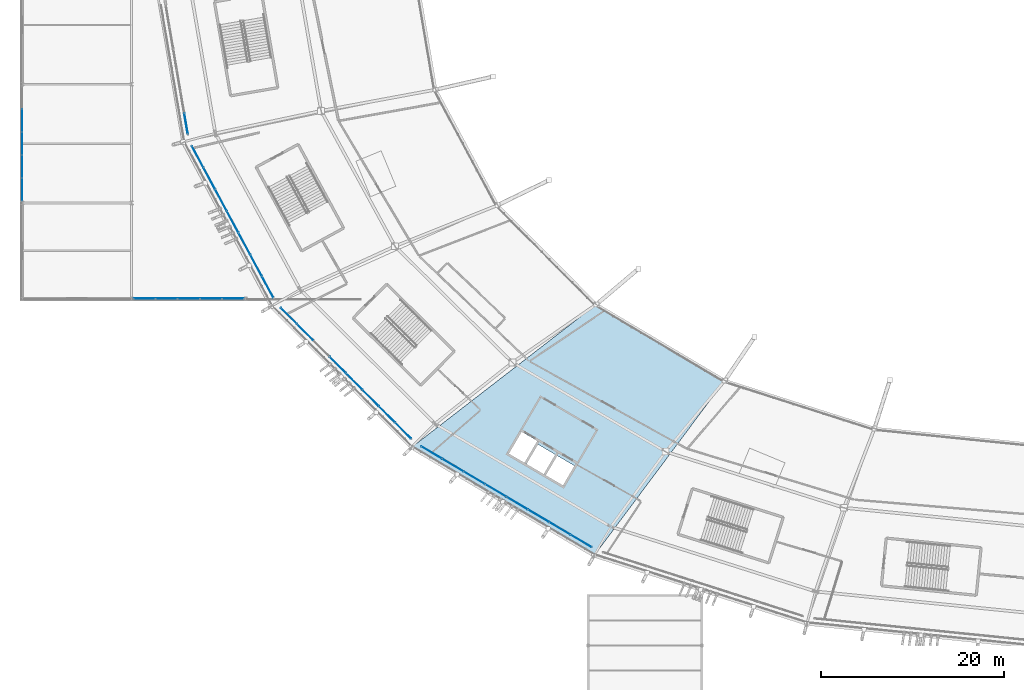
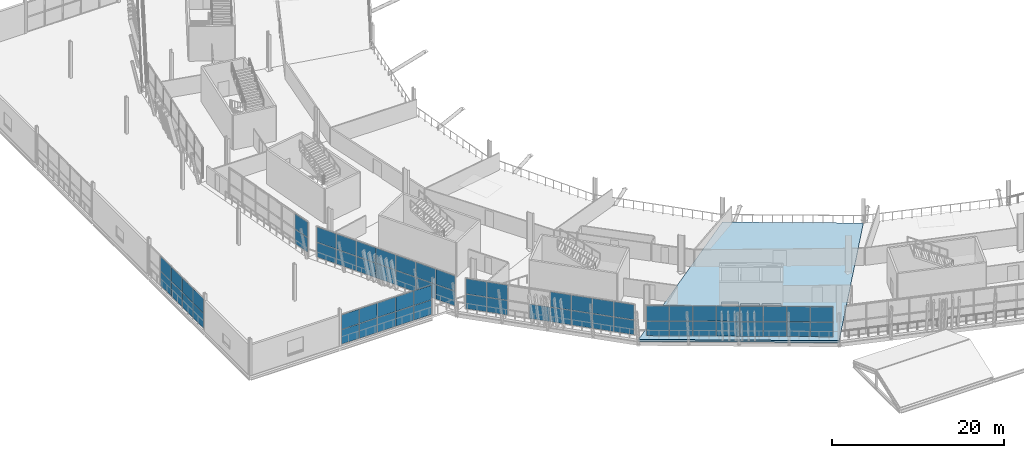
# One storey, part 82 of 168: 63 plates, 1 slab, 6 elements without a shape of their own.
"""IFC4 building model written with IfcOpenShell, lengths in metres."""

import ifcopenshell
import ifcopenshell.guid

model = None  # the IFC model being written
_history = None  # IfcOwnerHistory: only IFC2X3 demands one
_inside = {}  # id of a spatial element -> (the spatial element, [elements in it])
_under = {}  # id of a project, library or spatial element -> (it, [spatial elements below it])
_declared = {}  # id of a project -> (the project, [libraries it declares])
_typed = {}  # id of a type object -> (the type object, [elements of that type])
_made_of = {}  # id of a material, layer set ... -> (it, [elements and type objects made of it])


def new_model(schema):
    """Start an empty IFC model of exactly this schema.

    Asked for "IFC4X3", IfcOpenShell would pick the latest addendum, in which some entities
    have other attributes; the version numbers below select the first issue.
    IFC2X3 requires an IfcOwnerHistory on every rooted entity: one is made here for all.
    """
    global model, _history
    if schema == "IFC4X3":
        model = ifcopenshell.file(schema_version=(4, 3, 0, 0))
    else:
        model = ifcopenshell.file(schema=schema)
    _inside.clear()
    _under.clear()
    _declared.clear()
    _typed.clear()
    _made_of.clear()
    _history = None
    if model.schema == "IFC2X3":
        org = make("IfcOrganization", Name="unknown")
        user = make(
            "IfcPersonAndOrganization",
            ThePerson=make("IfcPerson", FamilyName="unknown"),
            TheOrganization=org,
        )
        app = make(
            "IfcApplication",
            ApplicationDeveloper=org,
            Version="unknown",
            ApplicationFullName="unknown",
            ApplicationIdentifier="unknown",
        )
        _history = make(
            "IfcOwnerHistory",
            OwningUser=user,
            OwningApplication=app,
            ChangeAction="ADDED",
            CreationDate=0,
        )
    return model


def make(cls, **values):
    """One entity of the class cls with the attributes given. An attribute that is None is left unset."""
    return model.create_entity(
        cls, **{name: value for name, value in values.items() if value is not None}
    )


def rooted(cls, **values):
    """An entity with a GlobalId (a new one), such as an element, a storey or a relation."""
    return make(cls, GlobalId=ifcopenshell.guid.new(), OwnerHistory=_history, **values)


def si_unit(unit_type, name, prefix=None):
    """IfcSIUnit, for example si_unit("LENGTHUNIT", "METRE", prefix="MILLI")."""
    return make("IfcSIUnit", UnitType=unit_type, Prefix=prefix, Name=name)


def assignment(units):
    """IfcUnitAssignment: the units of a project."""
    return None if units is None else make("IfcUnitAssignment", Units=units)


def point(xyz):
    """IfcCartesianPoint."""
    return None if xyz is None else make("IfcCartesianPoint", Coordinates=xyz)


def direction(xyz):
    """IfcDirection."""
    return None if xyz is None else make("IfcDirection", DirectionRatios=xyz)


def frame(location, z_axis=None, x_axis=None):
    """IfcAxis2Placement3D, a coordinate frame: its origin and axes. An axis left out is left unset."""
    return make(
        "IfcAxis2Placement3D",
        Location=point(location),
        Axis=direction(z_axis),
        RefDirection=direction(x_axis),
    )


def frame_2d(location, x_axis=None):
    """IfcAxis2Placement2D, a coordinate frame in the plane: its origin and x axis."""
    return make(
        "IfcAxis2Placement2D", Location=point(location), RefDirection=direction(x_axis)
    )


def origin():
    """The frame at (0, 0, 0) with its axes left unset."""
    return frame((0.0, 0.0, 0.0))


def origin_2d():
    """The frame at (0, 0) in the plane with its x axis left unset."""
    return frame_2d((0.0, 0.0))


def place(relative_to, where):
    """IfcLocalPlacement: puts the frame where relative to a parent placement (None: the world)."""
    return make(
        "IfcLocalPlacement", PlacementRelTo=relative_to, RelativePlacement=where
    )


def context(
    kind, dimensions, precision=None, world=None, true_north=None, identifier=None
):
    """IfcGeometricRepresentationContext, for example the 3D "Model" context."""
    return make(
        "IfcGeometricRepresentationContext",
        ContextIdentifier=identifier,
        ContextType=kind,
        CoordinateSpaceDimension=dimensions,
        Precision=precision,
        WorldCoordinateSystem=world,
        TrueNorth=true_north,
    )


def subcontext(parent, identifier, kind, view, scale=None):
    """IfcGeometricRepresentationSubContext, for example "Body" below "Model"."""
    return make(
        "IfcGeometricRepresentationSubContext",
        ContextIdentifier=identifier,
        ContextType=kind,
        ParentContext=parent,
        TargetScale=scale,
        TargetView=view,
    )


def project(units=None, contexts=None):
    """IfcProject with its units and contexts."""
    return rooted(
        "IfcProject",
        Name="project",
        RepresentationContexts=contexts,
        UnitsInContext=assignment(units),
    )


def spatial(cls, under=None, at=None, **own):
    """A site, building, storey or space (cls), placed at a placement, below another one or the project."""
    s = rooted(cls, ObjectPlacement=at, **own)
    if under is not None:
        _under.setdefault(under.id(), (under, []))[1].append(s)
    return s


def polyline(points):
    """IfcPolyline through the points."""
    return make("IfcPolyline", Points=[point(p) for p in points])


def profile(cls, at=None, kind="AREA", **sizes):
    """A parametric profile (cls). Its sizes go by their IFC names, for example OverallWidth=200.0."""
    return make(cls, ProfileType=kind, Position=at, **sizes)


def rectangle(**sizes):
    """IfcRectangleProfileDef."""
    return profile("IfcRectangleProfileDef", **sizes)


def outline(outer, holes=None, kind="AREA"):
    """IfcArbitraryClosedProfileDef: a profile drawn as a closed curve; with holes, ...WithVoids."""
    if holes is None:
        return make("IfcArbitraryClosedProfileDef", ProfileType=kind, OuterCurve=outer)
    return make(
        "IfcArbitraryProfileDefWithVoids",
        ProfileType=kind,
        OuterCurve=outer,
        InnerCurves=holes,
    )


def extrude(swept, where, along, depth):
    """IfcExtrudedAreaSolid: the profile swept, set in the frame where, extruded along a direction by depth."""
    return make(
        "IfcExtrudedAreaSolid",
        SweptArea=swept,
        Position=where,
        ExtrudedDirection=direction(along),
        Depth=depth,
    )


def shape(context_of_items, identifier, shape_type, items):
    """IfcShapeRepresentation: the items that make up one representation, for example the "Body"."""
    return make(
        "IfcShapeRepresentation",
        ContextOfItems=context_of_items,
        RepresentationIdentifier=identifier,
        RepresentationType=shape_type,
        Items=items,
    )


def material(Name=None, Category=None):
    """IfcMaterial."""
    return make("IfcMaterial", Name=Name, Category=Category)


def layer(
    of_material, thickness, ventilated=None, Name=None, Category=None, Priority=None
):
    """IfcMaterialLayer: one layer of a wall or slab, of a material (None: an air gap)."""
    return make(
        "IfcMaterialLayer",
        Material=of_material,
        LayerThickness=thickness,
        IsVentilated=ventilated,
        Name=Name,
        Category=Category,
        Priority=Priority,
    )


def layer_set(layers, Name=None):
    """IfcMaterialLayerSet."""
    return make("IfcMaterialLayerSet", MaterialLayers=layers, LayerSetName=Name)


def made_of(thing, what):
    """Note that an element or type object is made of a material, layer set ...; save() writes the relation."""
    if what is not None:
        _made_of.setdefault(what.id(), (what, []))[1].append(thing)
    return thing


def type_object(cls, material=None, **own):
    """A type object (cls), such as IfcWallType, which elements share."""
    return made_of(rooted(cls, **own), material)


def element(
    cls,
    number,
    at=None,
    inside=None,
    cuts=None,
    type_object=None,
    material=None,
    context=None,
    identifier="Body",
    shape_type=None,
    held_by="IfcProductDefinitionShape",
    body=None,
    shapes=None,
    **own,
):
    """One element of the class cls, such as IfcWall. Its Tag is "e" and its number.

    at: its placement. inside: the storey or other place that contains it. cuts: it is an
    opening in that element (IfcRelVoidsElement). A single representation is given by context,
    identifier, shape_type and body (its items); several are given by shapes. held_by: the class
    of the entity that holds the representations. save() writes the other relations.
    """
    e = rooted(cls, Tag="e%d" % number, ObjectPlacement=at, **own)
    if body is not None:
        shapes = [shape(context, identifier, shape_type, body)]
    if shapes is not None:
        e.Representation = make(held_by, Representations=shapes)
    if inside is not None:
        _inside.setdefault(inside.id(), (inside, []))[1].append(e)
    if cuts is not None:
        rooted(
            "IfcRelVoidsElement", RelatingBuildingElement=cuts, RelatedOpeningElement=e
        )
    if type_object is not None:
        _typed.setdefault(type_object.id(), (type_object, []))[1].append(e)
    return made_of(e, material)


def aggregate(whole, parts):
    """IfcRelAggregates: a whole, such as a stair, and the parts it consists of."""
    return rooted("IfcRelAggregates", RelatingObject=whole, RelatedObjects=parts)


def save(model, path):
    """Write the relations noted so far, then the file.

    IfcRelAggregates (storeys below a building ...), IfcRelContainedInSpatialStructure (elements
    in a storey), IfcRelDefinesByType, IfcRelAssociatesMaterial and IfcRelDeclares: one each for
    every whole, place, type object, material and project.
    """
    for whole, parts in _under.values():
        aggregate(whole, parts)
    for where, things in _inside.values():
        rooted(
            "IfcRelContainedInSpatialStructure",
            RelatedElements=things,
            RelatingStructure=where,
        )
    for kind, things in _typed.values():
        rooted("IfcRelDefinesByType", RelatedObjects=things, RelatingType=kind)
    for what, things in _made_of.values():
        rooted("IfcRelAssociatesMaterial", RelatedObjects=things, RelatingMaterial=what)
    for by, libraries in _declared.values():
        rooted("IfcRelDeclares", RelatingContext=by, RelatedDefinitions=libraries)
    model.write(path)


model = new_model("IFC4")

# Units and contexts
model_context = context("Model", 3, precision=1e-05, world=origin(), true_north=direction((0.0, 1.0)))
body_context = subcontext(model_context, "Body", "Model", "MODEL_VIEW")
ifc_project = project(units=[si_unit("LENGTHUNIT", "METRE"), si_unit("AREAUNIT", "SQUARE_METRE"), si_unit("VOLUMEUNIT", "CUBIC_METRE"), si_unit("PLANEANGLEUNIT", "RADIAN"), si_unit("MASSUNIT", "GRAM", prefix="KILO")], contexts=[model_context])

# Site, building, storey
site_placement = place(None, origin())
site = spatial("IfcSite", under=ifc_project, at=site_placement, CompositionType="ELEMENT")
building_placement = place(site_placement, origin())
building = spatial("IfcBuilding", under=site, at=building_placement, Name="Zlatoyarsky Gate Stadium", CompositionType="ELEMENT")
storey_placement = place(building_placement, frame((0.0, 0.0, 15.60009765625)))
storey = spatial("IfcBuildingStorey", under=building, at=storey_placement, Name="L03", CompositionType="ELEMENT", Elevation=15.60009765625)

# Curtain wall, plates
ifc_material_1 = material(Name="Thermally broken anodised aluminium curtain wall", Category="aluminium")
curtain_wall_type_1 = type_object("IfcCurtainWallType", Name="MONUMENTAL ARCHED GATE GLAZING UPPER", PredefinedType="USERDEFINED", material=ifc_material_1)
curtain_wall_1_placement = place(storey_placement, origin())
curtain_wall_1 = element("IfcCurtainWall", 1, at=curtain_wall_1_placement, inside=storey, type_object=curtain_wall_type_1, Name="Curtain wall CW-L03-12", ObjectType="ARCHED GATE GLAZING", PredefinedType="USERDEFINED")
ifc_material_2 = material(Name="Triple-glazed argon low-e architectural glass", Category="glass")
ifc_layer_1 = layer(ifc_material_2, 0.0458984375)
ifc_layer_set_1 = layer_set([ifc_layer_1], Name="Triple-glazed argon low-e architectural glass")
plate_type_1 = type_object("IfcPlateType", Name="ACOUSTIC LAMINATED GATE GLAZING PANEL 46", PredefinedType="CURTAIN_PANEL", material=ifc_layer_set_1)
plate_1_placement = place(storey_placement, frame((17.955322265625, 62.68310546875, 0.074951171875), z_axis=(0.0, 0.0, 1.0), x_axis=(0.168353683036, -0.985726654508, 0.0)))
plate_1 = element("IfcPlate", 2, at=plate_1_placement, type_object=plate_type_1, Name="CW-AG2 panel 6.1", PredefinedType="CURTAIN_PANEL", context=body_context, shape_type="SweptSolid", body=[
    extrude(rectangle(XDim=2.27587890625, YDim=0.0458984375, at=origin_2d()), origin(), (0.0, 0.0, 1.0), 2.03759765625),
])
plate_2_placement = place(storey_placement, frame((17.955322265625, 62.68310546875, 2.1875), z_axis=(0.0, 0.0, 1.0), x_axis=(0.168353683036, -0.985726654508, 0.0)))
plate_2 = element("IfcPlate", 3, at=plate_2_placement, type_object=plate_type_1, Name="CW-AG2 panel 6.2", PredefinedType="CURTAIN_PANEL", context=body_context, shape_type="SweptSolid", body=[
    extrude(rectangle(XDim=2.27587890625, YDim=0.0458984375, at=origin_2d()), origin(), (0.0, 0.0, 1.0), 2.117431640625),
])
aggregate(curtain_wall_1, [plate_1, plate_2])

# Slab
ifc_material_3 = material(Name="Concrete C40/50", Category="concrete")
ifc_layer_2 = layer(ifc_material_3, 0.280029296875)
ifc_layer_set_2 = layer_set([ifc_layer_2], Name="Concrete C40/50")
slab_type = type_object("IfcSlabType", Name="CONCRETE HOSPITALITY SLAB 280", PredefinedType="FLOOR", material=ifc_layer_set_2)
slab_placement = place(storey_placement, frame((0.0, 0.0, -0.280029296875)))
element("IfcSlab", 4, at=slab_placement, inside=storey, type_object=slab_type, Name="L03 bowl sector 15 slab", PredefinedType="FLOOR", context=body_context, shape_type="SweptSolid", body=[
    extrude(outline(polyline([(77.0, 34.53369140625), (62.64892578125, 15.305908203125), (42.62109375, 27.177490234375), (62.916748046875, 42.876953125), (77.0, 34.53369140625)]), holes=[polyline([(57.36669921875, 24.13818359375), (59.264892578125, 23.0263671875), (60.528564453125, 25.183349609375), (58.63037109375, 26.29541015625), (57.36669921875, 24.13818359375)]), polyline([(55.252685546875, 25.376708984375), (57.15087890625, 24.2646484375), (58.41455078125, 26.421875), (56.516357421875, 27.53369140625), (55.252685546875, 25.376708984375)]), polyline([(53.311279296875, 26.513916015625), (55.037109375, 25.5029296875), (56.452392578125, 27.9189453125), (54.7265625, 28.929931640625), (53.311279296875, 26.513916015625)])]), origin(), (0.0, 0.0, 1.0), 0.280029296875),
])

# Curtain wall, plates
curtain_wall_type_2 = type_object("IfcCurtainWallType", Name="WINTER GARDEN CONSERVATORY GLAZING", PredefinedType="USERDEFINED", material=ifc_material_1)
curtain_wall_2_placement = place(storey_placement, origin())
curtain_wall_2 = element("IfcCurtainWall", 5, at=curtain_wall_2_placement, inside=storey, type_object=curtain_wall_type_2, Name="Curtain wall CW-V4_WEST-L03-176", ObjectType="UNITISED GLAZING", PredefinedType="USERDEFINED")
ifc_material_4 = material(Name="Anodised aluminium spandrel panel", Category="aluminium")
ifc_layer_3 = layer(ifc_material_4, 0.05810546875)
ifc_layer_set_3 = layer_set([ifc_layer_3], Name="Anodised aluminium spandrel panel")
plate_type_2 = type_object("IfcPlateType", Name="INSULATED ALUMINIUM SPANDREL PANEL 58", PredefinedType="CURTAIN_PANEL", material=ifc_layer_set_3)
plate_3_placement = place(storey_placement, frame((13.395751953125, 43.5, 0.06494140625), z_axis=(0.0, 0.0, 1.0), x_axis=(1.0, 0.0, 0.0)))
plate_3 = element("IfcPlate", 6, at=plate_3_placement, type_object=plate_type_2, Name="CW-WG1 panel 1.1", PredefinedType="CURTAIN_PANEL", context=body_context, shape_type="SweptSolid", body=[
    extrude(rectangle(XDim=2.337646484375, YDim=0.05810546875, at=origin_2d()), origin(), (0.0, 0.0, 1.0), 2.052490234375),
])
plate_4_placement = place(storey_placement, frame((13.395751953125, 43.5, 2.1826171875), z_axis=(0.0, 0.0, 1.0), x_axis=(1.0, 0.0, 0.0)))
plate_4 = element("IfcPlate", 7, at=plate_4_placement, type_object=plate_type_2, Name="CW-WG1 panel 1.2", PredefinedType="CURTAIN_PANEL", context=body_context, shape_type="SweptSolid", body=[
    extrude(rectangle(XDim=2.337646484375, YDim=0.05810546875, at=origin_2d()), origin(), (0.0, 0.0, 1.0), 2.032470703125),
])
plate_5_placement = place(storey_placement, frame((15.814697265625, 43.5, 0.06494140625), z_axis=(0.0, 0.0, 1.0), x_axis=(1.0, 0.0, 0.0)))
plate_5 = element("IfcPlate", 8, at=plate_5_placement, type_object=plate_type_2, Name="CW-WG1 panel 2.1", PredefinedType="CURTAIN_PANEL", context=body_context, shape_type="SweptSolid", body=[
    extrude(rectangle(XDim=2.3701171875, YDim=0.05810546875, at=origin_2d()), origin(), (0.0, 0.0, 1.0), 2.052490234375),
])
plate_6_placement = place(storey_placement, frame((15.814697265625, 43.5, 2.1826171875), z_axis=(0.0, 0.0, 1.0), x_axis=(1.0, 0.0, 0.0)))
plate_6 = element("IfcPlate", 9, at=plate_6_placement, type_object=plate_type_2, Name="CW-WG1 panel 2.2", PredefinedType="CURTAIN_PANEL", context=body_context, shape_type="SweptSolid", body=[
    extrude(rectangle(XDim=2.3701171875, YDim=0.05810546875, at=origin_2d()), origin(), (0.0, 0.0, 1.0), 2.032470703125),
])
plate_7_placement = place(storey_placement, frame((18.25, 43.5, 0.06494140625), z_axis=(0.0, 0.0, 1.0), x_axis=(1.0, 0.0, 0.0)))
plate_7 = element("IfcPlate", 10, at=plate_7_placement, type_object=plate_type_2, Name="CW-WG1 panel 3.1", PredefinedType="CURTAIN_PANEL", context=body_context, shape_type="SweptSolid", body=[
    extrude(rectangle(XDim=2.3701171875, YDim=0.05810546875, at=origin_2d()), origin(), (0.0, 0.0, 1.0), 2.052490234375),
])
plate_8_placement = place(storey_placement, frame((18.25, 43.5, 2.1826171875), z_axis=(0.0, 0.0, 1.0), x_axis=(1.0, 0.0, 0.0)))
plate_8 = element("IfcPlate", 11, at=plate_8_placement, type_object=plate_type_2, Name="CW-WG1 panel 3.2", PredefinedType="CURTAIN_PANEL", context=body_context, shape_type="SweptSolid", body=[
    extrude(rectangle(XDim=2.3701171875, YDim=0.05810546875, at=origin_2d()), origin(), (0.0, 0.0, 1.0), 2.032470703125),
])
plate_9_placement = place(storey_placement, frame((20.685302734375, 43.5, 0.06494140625), z_axis=(0.0, 0.0, 1.0), x_axis=(1.0, 0.0, 0.0)))
plate_9 = element("IfcPlate", 12, at=plate_9_placement, type_object=plate_type_2, Name="CW-WG1 panel 4.1", PredefinedType="CURTAIN_PANEL", context=body_context, shape_type="SweptSolid", body=[
    extrude(rectangle(XDim=2.3701171875, YDim=0.05810546875, at=origin_2d()), origin(), (0.0, 0.0, 1.0), 2.052490234375),
])
plate_10_placement = place(storey_placement, frame((20.685302734375, 43.5, 2.1826171875), z_axis=(0.0, 0.0, 1.0), x_axis=(1.0, 0.0, 0.0)))
plate_10 = element("IfcPlate", 13, at=plate_10_placement, type_object=plate_type_2, Name="CW-WG1 panel 4.2", PredefinedType="CURTAIN_PANEL", context=body_context, shape_type="SweptSolid", body=[
    extrude(rectangle(XDim=2.3701171875, YDim=0.05810546875, at=origin_2d()), origin(), (0.0, 0.0, 1.0), 2.032470703125),
])
plate_11_placement = place(storey_placement, frame((23.104248046875, 43.5, 0.06494140625), z_axis=(0.0, 0.0, 1.0), x_axis=(1.0, 0.0, 0.0)))
plate_11 = element("IfcPlate", 14, at=plate_11_placement, type_object=plate_type_2, Name="CW-WG1 panel 5.1", PredefinedType="CURTAIN_PANEL", context=body_context, shape_type="SweptSolid", body=[
    extrude(rectangle(XDim=2.337646484375, YDim=0.05810546875, at=origin_2d()), origin(), (0.0, 0.0, 1.0), 2.052490234375),
])
plate_12_placement = place(storey_placement, frame((23.104248046875, 43.5, 2.1826171875), z_axis=(0.0, 0.0, 1.0), x_axis=(1.0, 0.0, 0.0)))
plate_12 = element("IfcPlate", 15, at=plate_12_placement, type_object=plate_type_2, Name="CW-WG1 panel 5.2", PredefinedType="CURTAIN_PANEL", context=body_context, shape_type="SweptSolid", body=[
    extrude(rectangle(XDim=2.337646484375, YDim=0.05810546875, at=origin_2d()), origin(), (0.0, 0.0, 1.0), 2.032470703125),
])
aggregate(curtain_wall_2, [plate_3, plate_4, plate_5, plate_6, plate_7, plate_8, plate_9, plate_10, plate_11, plate_12])

curtain_wall_type_3 = type_object("IfcCurtainWallType", Name="UNITISED CORPORATE BOX GLAZING L03", PredefinedType="USERDEFINED", material=ifc_material_1)
curtain_wall_3_placement = place(storey_placement, origin())
curtain_wall_3 = element("IfcCurtainWall", 16, at=curtain_wall_3_placement, inside=storey, type_object=curtain_wall_type_3, Name="Curtain wall CW-L03-13", ObjectType="UNITISED GLAZING", PredefinedType="USERDEFINED")
ifc_layer_4 = layer(ifc_material_2, 0.0380859375)
ifc_layer_set_4 = layer_set([ifc_layer_4], Name="Triple-glazed argon low-e architectural glass")
plate_type_3 = type_object("IfcPlateType", Name="TRIPLE GLAZED LOW E CURTAIN PANEL 38", PredefinedType="CURTAIN_PANEL", material=ifc_layer_set_4)
plate_13_placement = place(storey_placement, frame((19.2255859375, 59.06689453125, 0.06494140625), z_axis=(0.0, 0.0, 1.0), x_axis=(0.473344857694, -0.880877202392, 0.0)))
plate_13 = element("IfcPlate", 17, at=plate_13_placement, type_object=plate_type_3, Name="CW-UG3 panel 1.1", PredefinedType="CURTAIN_PANEL", context=body_context, shape_type="SweptSolid", body=[
    extrude(rectangle(XDim=2.611328125, YDim=0.0380859375, at=origin_2d()), origin(), (0.0, 0.0, 1.0), 2.052490234375),
])
plate_14_placement = place(storey_placement, frame((19.2255859375, 59.06689453125, 2.18212890625), z_axis=(0.0, 0.0, 1.0), x_axis=(0.473344857694, -0.880877202392, 0.0)))
plate_14 = element("IfcPlate", 18, at=plate_14_placement, type_object=plate_type_3, Name="CW-UG3 panel 1.2", PredefinedType="CURTAIN_PANEL", context=body_context, shape_type="SweptSolid", body=[
    extrude(rectangle(XDim=2.611328125, YDim=0.0380859375, at=origin_2d()), origin(), (0.0, 0.0, 1.0), 2.132568359375),
])
plate_15_placement = place(storey_placement, frame((20.5, 56.695068359375, 0.06494140625), z_axis=(0.0, 0.0, 1.0), x_axis=(0.473344857694, -0.880877202392, 0.0)))
plate_15 = element("IfcPlate", 19, at=plate_15_placement, type_object=plate_type_3, Name="CW-UG3 panel 2.1", PredefinedType="CURTAIN_PANEL", context=body_context, shape_type="SweptSolid", body=[
    extrude(rectangle(XDim=2.643798828125, YDim=0.0380859375, at=origin_2d()), origin(), (0.0, 0.0, 1.0), 2.052490234375),
])
plate_16_placement = place(storey_placement, frame((20.5, 56.695068359375, 2.18212890625), z_axis=(0.0, 0.0, 1.0), x_axis=(0.473344857694, -0.880877202392, 0.0)))
plate_16 = element("IfcPlate", 20, at=plate_16_placement, type_object=plate_type_3, Name="CW-UG3 panel 2.2", PredefinedType="CURTAIN_PANEL", context=body_context, shape_type="SweptSolid", body=[
    extrude(rectangle(XDim=2.643798828125, YDim=0.0380859375, at=origin_2d()), origin(), (0.0, 0.0, 1.0), 2.132568359375),
])
plate_17_placement = place(storey_placement, frame((21.7822265625, 54.308837890625, 0.06494140625), z_axis=(0.0, 0.0, 1.0), x_axis=(0.473344857694, -0.880877202392, 0.0)))
plate_17 = element("IfcPlate", 21, at=plate_17_placement, type_object=plate_type_3, Name="CW-UG3 panel 3.1", PredefinedType="CURTAIN_PANEL", context=body_context, shape_type="SweptSolid", body=[
    extrude(rectangle(XDim=2.643798828125, YDim=0.0380859375, at=origin_2d()), origin(), (0.0, 0.0, 1.0), 2.052490234375),
])
plate_18_placement = place(storey_placement, frame((21.7822265625, 54.308837890625, 2.18212890625), z_axis=(0.0, 0.0, 1.0), x_axis=(0.473344857694, -0.880877202392, 0.0)))
plate_18 = element("IfcPlate", 22, at=plate_18_placement, type_object=plate_type_3, Name="CW-UG3 panel 3.2", PredefinedType="CURTAIN_PANEL", context=body_context, shape_type="SweptSolid", body=[
    extrude(rectangle(XDim=2.643798828125, YDim=0.0380859375, at=origin_2d()), origin(), (0.0, 0.0, 1.0), 2.132568359375),
])
plate_19_placement = place(storey_placement, frame((23.064453125, 51.9228515625, 0.06494140625), z_axis=(0.0, 0.0, 1.0), x_axis=(0.473344857694, -0.880877202392, 0.0)))
plate_19 = element("IfcPlate", 23, at=plate_19_placement, type_object=plate_type_3, Name="CW-UG3 panel 4.1", PredefinedType="CURTAIN_PANEL", context=body_context, shape_type="SweptSolid", body=[
    extrude(rectangle(XDim=2.643798828125, YDim=0.0380859375, at=origin_2d()), origin(), (0.0, 0.0, 1.0), 2.052490234375),
])
plate_20_placement = place(storey_placement, frame((23.064453125, 51.9228515625, 2.18212890625), z_axis=(0.0, 0.0, 1.0), x_axis=(0.473344857694, -0.880877202392, 0.0)))
plate_20 = element("IfcPlate", 24, at=plate_20_placement, type_object=plate_type_3, Name="CW-UG3 panel 4.2", PredefinedType="CURTAIN_PANEL", context=body_context, shape_type="SweptSolid", body=[
    extrude(rectangle(XDim=2.643798828125, YDim=0.0380859375, at=origin_2d()), origin(), (0.0, 0.0, 1.0), 2.132568359375),
])
plate_21_placement = place(storey_placement, frame((24.346435546875, 49.536865234375, 0.06494140625), z_axis=(0.0, 0.0, 1.0), x_axis=(0.473344857694, -0.880877202392, 0.0)))
plate_21 = element("IfcPlate", 25, at=plate_21_placement, type_object=plate_type_3, Name="CW-UG3 panel 5.1", PredefinedType="CURTAIN_PANEL", context=body_context, shape_type="SweptSolid", body=[
    extrude(rectangle(XDim=2.643798828125, YDim=0.0380859375, at=origin_2d()), origin(), (0.0, 0.0, 1.0), 2.052490234375),
])
plate_22_placement = place(storey_placement, frame((24.346435546875, 49.536865234375, 2.18212890625), z_axis=(0.0, 0.0, 1.0), x_axis=(0.473344857694, -0.880877202392, 0.0)))
plate_22 = element("IfcPlate", 26, at=plate_22_placement, type_object=plate_type_3, Name="CW-UG3 panel 5.2", PredefinedType="CURTAIN_PANEL", context=body_context, shape_type="SweptSolid", body=[
    extrude(rectangle(XDim=2.643798828125, YDim=0.0380859375, at=origin_2d()), origin(), (0.0, 0.0, 1.0), 2.132568359375),
])
plate_23_placement = place(storey_placement, frame((25.628662109375, 47.150634765625, 0.06494140625), z_axis=(0.0, 0.0, 1.0), x_axis=(0.473344857694, -0.880877202392, 0.0)))
plate_23 = element("IfcPlate", 27, at=plate_23_placement, type_object=plate_type_3, Name="CW-UG3 panel 6.1", PredefinedType="CURTAIN_PANEL", context=body_context, shape_type="SweptSolid", body=[
    extrude(rectangle(XDim=2.643798828125, YDim=0.0380859375, at=origin_2d()), origin(), (0.0, 0.0, 1.0), 2.052490234375),
])
plate_24_placement = place(storey_placement, frame((25.628662109375, 47.150634765625, 2.18212890625), z_axis=(0.0, 0.0, 1.0), x_axis=(0.473344857694, -0.880877202392, 0.0)))
plate_24 = element("IfcPlate", 28, at=plate_24_placement, type_object=plate_type_3, Name="CW-UG3 panel 6.2", PredefinedType="CURTAIN_PANEL", context=body_context, shape_type="SweptSolid", body=[
    extrude(rectangle(XDim=2.643798828125, YDim=0.0380859375, at=origin_2d()), origin(), (0.0, 0.0, 1.0), 2.132568359375),
])
plate_25_placement = place(storey_placement, frame((26.9033203125, 44.77880859375, 0.06494140625), z_axis=(0.0, 0.0, 1.0), x_axis=(0.473344857694, -0.880877202392, 0.0)))
plate_25 = element("IfcPlate", 29, at=plate_25_placement, type_object=plate_type_3, Name="CW-UG3 panel 7.1", PredefinedType="CURTAIN_PANEL", context=body_context, shape_type="SweptSolid", body=[
    extrude(rectangle(XDim=2.611328125, YDim=0.0380859375, at=origin_2d()), origin(), (0.0, 0.0, 1.0), 2.052490234375),
])
plate_26_placement = place(storey_placement, frame((26.9033203125, 44.77880859375, 2.18212890625), z_axis=(0.0, 0.0, 1.0), x_axis=(0.473344857694, -0.880877202392, 0.0)))
plate_26 = element("IfcPlate", 30, at=plate_26_placement, type_object=plate_type_3, Name="CW-UG3 panel 7.2", PredefinedType="CURTAIN_PANEL", context=body_context, shape_type="SweptSolid", body=[
    extrude(rectangle(XDim=2.611328125, YDim=0.0380859375, at=origin_2d()), origin(), (0.0, 0.0, 1.0), 2.132568359375),
])
aggregate(curtain_wall_3, [plate_13, plate_14, plate_15, plate_16, plate_17, plate_18, plate_19, plate_20, plate_21, plate_22, plate_23, plate_24, plate_25, plate_26])

curtain_wall_4_placement = place(storey_placement, origin())
curtain_wall_4 = element("IfcCurtainWall", 31, at=curtain_wall_4_placement, inside=storey, type_object=curtain_wall_type_3, Name="Curtain wall CW-L03-14", ObjectType="UNITISED GLAZING", PredefinedType="USERDEFINED")
plate_27_placement = place(storey_placement, frame((29.22607421875, 41.62646484375, 0.06494140625), z_axis=(0.0, 0.0, 1.0), x_axis=(0.705488725202, -0.708721143054, 0.0)))
plate_27 = element("IfcPlate", 32, at=plate_27_placement, type_object=plate_type_3, Name="CW-UG3 panel 1.1", PredefinedType="CURTAIN_PANEL", context=body_context, shape_type="SweptSolid", body=[
    extrude(rectangle(XDim=2.443115234375, YDim=0.0380859375, at=origin_2d()), origin(), (0.0, 0.0, 1.0), 2.052490234375),
])
plate_28_placement = place(storey_placement, frame((29.22607421875, 41.62646484375, 2.18212890625), z_axis=(0.0, 0.0, 1.0), x_axis=(0.705488725202, -0.708721143054, 0.0)))
plate_28 = element("IfcPlate", 33, at=plate_28_placement, type_object=plate_type_3, Name="CW-UG3 panel 1.2", PredefinedType="CURTAIN_PANEL", context=body_context, shape_type="SweptSolid", body=[
    extrude(rectangle(XDim=2.443115234375, YDim=0.0380859375, at=origin_2d()), origin(), (0.0, 0.0, 1.0), 2.132568359375),
])
plate_29_placement = place(storey_placement, frame((31.0068359375, 39.837158203125, 0.06494140625), z_axis=(0.0, 0.0, 1.0), x_axis=(0.705488725202, -0.708721143054, 0.0)))
plate_29 = element("IfcPlate", 34, at=plate_29_placement, type_object=plate_type_3, Name="CW-UG3 panel 2.1", PredefinedType="CURTAIN_PANEL", context=body_context, shape_type="SweptSolid", body=[
    extrude(rectangle(XDim=2.4755859375, YDim=0.0380859375, at=origin_2d()), origin(), (0.0, 0.0, 1.0), 2.052490234375),
])
plate_30_placement = place(storey_placement, frame((31.0068359375, 39.837158203125, 2.18212890625), z_axis=(0.0, 0.0, 1.0), x_axis=(0.705488725202, -0.708721143054, 0.0)))
plate_30 = element("IfcPlate", 35, at=plate_30_placement, type_object=plate_type_3, Name="CW-UG3 panel 2.2", PredefinedType="CURTAIN_PANEL", context=body_context, shape_type="SweptSolid", body=[
    extrude(rectangle(XDim=2.4755859375, YDim=0.0380859375, at=origin_2d()), origin(), (0.0, 0.0, 1.0), 2.132568359375),
])
plate_31_placement = place(storey_placement, frame((34.591796875, 36.236083984375, 0.06494140625), z_axis=(0.0, 0.0, 1.0), x_axis=(0.705488725202, -0.708721143054, 0.0)))
plate_31 = element("IfcPlate", 36, at=plate_31_placement, type_object=plate_type_3, Name="CW-UG3 panel 4.1", PredefinedType="CURTAIN_PANEL", context=body_context, shape_type="SweptSolid", body=[
    extrude(rectangle(XDim=2.4755859375, YDim=0.0380859375, at=origin_2d()), origin(), (0.0, 0.0, 1.0), 2.052490234375),
])
plate_32_placement = place(storey_placement, frame((36.38427734375, 34.435302734375, 0.06494140625), z_axis=(0.0, 0.0, 1.0), x_axis=(0.705488725202, -0.708721143054, 0.0)))
plate_32 = element("IfcPlate", 37, at=plate_32_placement, type_object=plate_type_3, Name="CW-UG3 panel 5.1", PredefinedType="CURTAIN_PANEL", context=body_context, shape_type="SweptSolid", body=[
    extrude(rectangle(XDim=2.4755859375, YDim=0.0380859375, at=origin_2d()), origin(), (0.0, 0.0, 1.0), 2.052490234375),
])
plate_33_placement = place(storey_placement, frame((36.38427734375, 34.435302734375, 2.18212890625), z_axis=(0.0, 0.0, 1.0), x_axis=(0.705488725202, -0.708721143054, 0.0)))
plate_33 = element("IfcPlate", 38, at=plate_33_placement, type_object=plate_type_3, Name="CW-UG3 panel 5.2", PredefinedType="CURTAIN_PANEL", context=body_context, shape_type="SweptSolid", body=[
    extrude(rectangle(XDim=2.4755859375, YDim=0.0380859375, at=origin_2d()), origin(), (0.0, 0.0, 1.0), 2.132568359375),
])
plate_34_placement = place(storey_placement, frame((38.176513671875, 32.634765625, 0.06494140625), z_axis=(0.0, 0.0, 1.0), x_axis=(0.705488725202, -0.708721143054, 0.0)))
plate_34 = element("IfcPlate", 39, at=plate_34_placement, type_object=plate_type_3, Name="CW-UG3 panel 6.1", PredefinedType="CURTAIN_PANEL", context=body_context, shape_type="SweptSolid", body=[
    extrude(rectangle(XDim=2.4755859375, YDim=0.0380859375, at=origin_2d()), origin(), (0.0, 0.0, 1.0), 2.052490234375),
])
plate_35_placement = place(storey_placement, frame((38.176513671875, 32.634765625, 2.18212890625), z_axis=(0.0, 0.0, 1.0), x_axis=(0.705488725202, -0.708721143054, 0.0)))
plate_35 = element("IfcPlate", 40, at=plate_35_placement, type_object=plate_type_3, Name="CW-UG3 panel 6.2", PredefinedType="CURTAIN_PANEL", context=body_context, shape_type="SweptSolid", body=[
    extrude(rectangle(XDim=2.4755859375, YDim=0.0380859375, at=origin_2d()), origin(), (0.0, 0.0, 1.0), 2.132568359375),
])
plate_36_placement = place(storey_placement, frame((39.968994140625, 30.834228515625, 0.06494140625), z_axis=(0.0, 0.0, 1.0), x_axis=(0.705488725202, -0.708721143054, 0.0)))
plate_36 = element("IfcPlate", 41, at=plate_36_placement, type_object=plate_type_3, Name="CW-UG3 panel 7.1", PredefinedType="CURTAIN_PANEL", context=body_context, shape_type="SweptSolid", body=[
    extrude(rectangle(XDim=2.4755859375, YDim=0.0380859375, at=origin_2d()), origin(), (0.0, 0.0, 1.0), 2.052490234375),
])
plate_37_placement = place(storey_placement, frame((39.968994140625, 30.834228515625, 2.18212890625), z_axis=(0.0, 0.0, 1.0), x_axis=(0.705488725202, -0.708721143054, 0.0)))
plate_37 = element("IfcPlate", 42, at=plate_37_placement, type_object=plate_type_3, Name="CW-UG3 panel 7.2", PredefinedType="CURTAIN_PANEL", context=body_context, shape_type="SweptSolid", body=[
    extrude(rectangle(XDim=2.4755859375, YDim=0.0380859375, at=origin_2d()), origin(), (0.0, 0.0, 1.0), 2.132568359375),
])
plate_38_placement = place(storey_placement, frame((41.75, 29.044921875, 0.06494140625), z_axis=(0.0, 0.0, 1.0), x_axis=(0.705488725202, -0.708721143054, 0.0)))
plate_38 = element("IfcPlate", 43, at=plate_38_placement, type_object=plate_type_3, Name="CW-UG3 panel 8.1", PredefinedType="CURTAIN_PANEL", context=body_context, shape_type="SweptSolid", body=[
    extrude(rectangle(XDim=2.443115234375, YDim=0.0380859375, at=origin_2d()), origin(), (0.0, 0.0, 1.0), 2.052490234375),
])
plate_39_placement = place(storey_placement, frame((41.75, 29.044921875, 2.18212890625), z_axis=(0.0, 0.0, 1.0), x_axis=(0.705488725202, -0.708721143054, 0.0)))
plate_39 = element("IfcPlate", 44, at=plate_39_placement, type_object=plate_type_3, Name="CW-UG3 panel 8.2", PredefinedType="CURTAIN_PANEL", context=body_context, shape_type="SweptSolid", body=[
    extrude(rectangle(XDim=2.443115234375, YDim=0.0380859375, at=origin_2d()), origin(), (0.0, 0.0, 1.0), 2.132568359375),
])
aggregate(curtain_wall_4, [plate_27, plate_28, plate_29, plate_30, plate_31, plate_32, plate_33, plate_34, plate_35, plate_36, plate_37, plate_38, plate_39])

curtain_wall_5_placement = place(storey_placement, origin())
curtain_wall_5 = element("IfcCurtainWall", 45, at=curtain_wall_5_placement, inside=storey, type_object=curtain_wall_type_3, Name="Curtain wall CW-L03-15", ObjectType="UNITISED GLAZING", PredefinedType="USERDEFINED")
plate_40_placement = place(storey_placement, frame((44.8623046875, 26.6396484375, 0.06494140625), z_axis=(0.0, 0.0, 1.0), x_axis=(0.860708284678, -0.509098466593, 0.0)))
plate_40 = element("IfcPlate", 46, at=plate_40_placement, type_object=plate_type_3, Name="CW-UG3 panel 1.1", PredefinedType="CURTAIN_PANEL", context=body_context, shape_type="SweptSolid", body=[
    extrude(rectangle(XDim=2.62744140625, YDim=0.0380859375, at=origin_2d()), origin(), (0.0, 0.0, 1.0), 2.052490234375),
])
plate_41_placement = place(storey_placement, frame((44.8623046875, 26.6396484375, 2.18212890625), z_axis=(0.0, 0.0, 1.0), x_axis=(0.860708284678, -0.509098466593, 0.0)))
plate_41 = element("IfcPlate", 47, at=plate_41_placement, type_object=plate_type_3, Name="CW-UG3 panel 1.2", PredefinedType="CURTAIN_PANEL", context=body_context, shape_type="SweptSolid", body=[
    extrude(rectangle(XDim=2.62744140625, YDim=0.0380859375, at=origin_2d()), origin(), (0.0, 0.0, 1.0), 2.132568359375),
])
plate_42_placement = place(storey_placement, frame((47.19384765625, 25.2607421875, 0.06494140625), z_axis=(0.0, 0.0, 1.0), x_axis=(0.860708284678, -0.509098466593, 0.0)))
plate_42 = element("IfcPlate", 48, at=plate_42_placement, type_object=plate_type_3, Name="CW-UG3 panel 2.1", PredefinedType="CURTAIN_PANEL", context=body_context, shape_type="SweptSolid", body=[
    extrude(rectangle(XDim=2.66015625, YDim=0.0380859375, at=origin_2d()), origin(), (0.0, 0.0, 1.0), 2.052490234375),
])
plate_43_placement = place(storey_placement, frame((47.19384765625, 25.2607421875, 2.18212890625), z_axis=(0.0, 0.0, 1.0), x_axis=(0.860708284678, -0.509098466593, 0.0)))
plate_43 = element("IfcPlate", 49, at=plate_43_placement, type_object=plate_type_3, Name="CW-UG3 panel 2.2", PredefinedType="CURTAIN_PANEL", context=body_context, shape_type="SweptSolid", body=[
    extrude(rectangle(XDim=2.66015625, YDim=0.0380859375, at=origin_2d()), origin(), (0.0, 0.0, 1.0), 2.132568359375),
])
plate_44_placement = place(storey_placement, frame((49.539306640625, 23.873291015625, 0.06494140625), z_axis=(0.0, 0.0, 1.0), x_axis=(0.860708284678, -0.509098466593, 0.0)))
plate_44 = element("IfcPlate", 50, at=plate_44_placement, type_object=plate_type_3, Name="CW-UG3 panel 3.1", PredefinedType="CURTAIN_PANEL", context=body_context, shape_type="SweptSolid", body=[
    extrude(rectangle(XDim=2.66015625, YDim=0.0380859375, at=origin_2d()), origin(), (0.0, 0.0, 1.0), 2.052490234375),
])
plate_45_placement = place(storey_placement, frame((49.539306640625, 23.873291015625, 2.18212890625), z_axis=(0.0, 0.0, 1.0), x_axis=(0.860708284678, -0.509098466593, 0.0)))
plate_45 = element("IfcPlate", 51, at=plate_45_placement, type_object=plate_type_3, Name="CW-UG3 panel 3.2", PredefinedType="CURTAIN_PANEL", context=body_context, shape_type="SweptSolid", body=[
    extrude(rectangle(XDim=2.66015625, YDim=0.0380859375, at=origin_2d()), origin(), (0.0, 0.0, 1.0), 2.132568359375),
])
plate_46_placement = place(storey_placement, frame((51.884765625, 22.486083984375, 0.06494140625), z_axis=(0.0, 0.0, 1.0), x_axis=(0.860708284678, -0.509098466593, 0.0)))
plate_46 = element("IfcPlate", 52, at=plate_46_placement, type_object=plate_type_3, Name="CW-UG3 panel 4.1", PredefinedType="CURTAIN_PANEL", context=body_context, shape_type="SweptSolid", body=[
    extrude(rectangle(XDim=2.66015625, YDim=0.0380859375, at=origin_2d()), origin(), (0.0, 0.0, 1.0), 2.052490234375),
])
plate_47_placement = place(storey_placement, frame((51.884765625, 22.486083984375, 2.18212890625), z_axis=(0.0, 0.0, 1.0), x_axis=(0.860708284678, -0.509098466593, 0.0)))
plate_47 = element("IfcPlate", 53, at=plate_47_placement, type_object=plate_type_3, Name="CW-UG3 panel 4.2", PredefinedType="CURTAIN_PANEL", context=body_context, shape_type="SweptSolid", body=[
    extrude(rectangle(XDim=2.66015625, YDim=0.0380859375, at=origin_2d()), origin(), (0.0, 0.0, 1.0), 2.132568359375),
])
plate_48_placement = place(storey_placement, frame((54.230224609375, 21.0986328125, 0.06494140625), z_axis=(0.0, 0.0, 1.0), x_axis=(0.860708284678, -0.509098466593, 0.0)))
plate_48 = element("IfcPlate", 54, at=plate_48_placement, type_object=plate_type_3, Name="CW-UG3 panel 5.1", PredefinedType="CURTAIN_PANEL", context=body_context, shape_type="SweptSolid", body=[
    extrude(rectangle(XDim=2.66015625, YDim=0.0380859375, at=origin_2d()), origin(), (0.0, 0.0, 1.0), 2.052490234375),
])
plate_49_placement = place(storey_placement, frame((54.230224609375, 21.0986328125, 2.18212890625), z_axis=(0.0, 0.0, 1.0), x_axis=(0.860708284678, -0.509098466593, 0.0)))
plate_49 = element("IfcPlate", 55, at=plate_49_placement, type_object=plate_type_3, Name="CW-UG3 panel 5.2", PredefinedType="CURTAIN_PANEL", context=body_context, shape_type="SweptSolid", body=[
    extrude(rectangle(XDim=2.66015625, YDim=0.0380859375, at=origin_2d()), origin(), (0.0, 0.0, 1.0), 2.132568359375),
])
plate_50_placement = place(storey_placement, frame((56.57568359375, 19.71142578125, 0.06494140625), z_axis=(0.0, 0.0, 1.0), x_axis=(0.860708284678, -0.509098466593, 0.0)))
plate_50 = element("IfcPlate", 56, at=plate_50_placement, type_object=plate_type_3, Name="CW-UG3 panel 6.1", PredefinedType="CURTAIN_PANEL", context=body_context, shape_type="SweptSolid", body=[
    extrude(rectangle(XDim=2.66015625, YDim=0.0380859375, at=origin_2d()), origin(), (0.0, 0.0, 1.0), 2.052490234375),
])
plate_51_placement = place(storey_placement, frame((56.57568359375, 19.71142578125, 2.18212890625), z_axis=(0.0, 0.0, 1.0), x_axis=(0.860708284678, -0.509098466593, 0.0)))
plate_51 = element("IfcPlate", 57, at=plate_51_placement, type_object=plate_type_3, Name="CW-UG3 panel 6.2", PredefinedType="CURTAIN_PANEL", context=body_context, shape_type="SweptSolid", body=[
    extrude(rectangle(XDim=2.66015625, YDim=0.0380859375, at=origin_2d()), origin(), (0.0, 0.0, 1.0), 2.132568359375),
])
plate_52_placement = place(storey_placement, frame((58.921142578125, 18.323974609375, 0.06494140625), z_axis=(0.0, 0.0, 1.0), x_axis=(0.860708284678, -0.509098466593, 0.0)))
plate_52 = element("IfcPlate", 58, at=plate_52_placement, type_object=plate_type_3, Name="CW-UG3 panel 7.1", PredefinedType="CURTAIN_PANEL", context=body_context, shape_type="SweptSolid", body=[
    extrude(rectangle(XDim=2.66015625, YDim=0.0380859375, at=origin_2d()), origin(), (0.0, 0.0, 1.0), 2.052490234375),
])
plate_53_placement = place(storey_placement, frame((58.921142578125, 18.323974609375, 2.18212890625), z_axis=(0.0, 0.0, 1.0), x_axis=(0.860708284678, -0.509098466593, 0.0)))
plate_53 = element("IfcPlate", 59, at=plate_53_placement, type_object=plate_type_3, Name="CW-UG3 panel 7.2", PredefinedType="CURTAIN_PANEL", context=body_context, shape_type="SweptSolid", body=[
    extrude(rectangle(XDim=2.66015625, YDim=0.0380859375, at=origin_2d()), origin(), (0.0, 0.0, 1.0), 2.132568359375),
])
plate_54_placement = place(storey_placement, frame((61.252685546875, 16.945068359375, 0.06494140625), z_axis=(0.0, 0.0, 1.0), x_axis=(0.860708284678, -0.509098466593, 0.0)))
plate_54 = element("IfcPlate", 60, at=plate_54_placement, type_object=plate_type_3, Name="CW-UG3 panel 8.1", PredefinedType="CURTAIN_PANEL", context=body_context, shape_type="SweptSolid", body=[
    extrude(rectangle(XDim=2.62744140625, YDim=0.0380859375, at=origin_2d()), origin(), (0.0, 0.0, 1.0), 2.052490234375),
])
plate_55_placement = place(storey_placement, frame((61.252685546875, 16.945068359375, 2.18212890625), z_axis=(0.0, 0.0, 1.0), x_axis=(0.860708284678, -0.509098466593, 0.0)))
plate_55 = element("IfcPlate", 61, at=plate_55_placement, type_object=plate_type_3, Name="CW-UG3 panel 8.2", PredefinedType="CURTAIN_PANEL", context=body_context, shape_type="SweptSolid", body=[
    extrude(rectangle(XDim=2.62744140625, YDim=0.0380859375, at=origin_2d()), origin(), (0.0, 0.0, 1.0), 2.132568359375),
])
aggregate(curtain_wall_5, [plate_40, plate_41, plate_42, plate_43, plate_44, plate_45, plate_46, plate_47, plate_48, plate_49, plate_50, plate_51, plate_52, plate_53, plate_54, plate_55])

curtain_wall_6_placement = place(storey_placement, origin())
curtain_wall_6 = element("IfcCurtainWall", 62, at=curtain_wall_6_placement, inside=storey, type_object=curtain_wall_type_2, Name="Curtain wall CW-V4_WEST-L03-171", ObjectType="UNITISED GLAZING", PredefinedType="USERDEFINED")
plate_56_placement = place(storey_placement, frame((0.0, 55.469970703125, 0.06494140625), z_axis=(0.0, 0.0, 1.0), x_axis=(0.0, 1.0, 0.0)))
plate_56 = element("IfcPlate", 63, at=plate_56_placement, type_object=plate_type_3, Name="CW-WG1 panel 1.1", PredefinedType="CURTAIN_PANEL", context=body_context, shape_type="SweptSolid", body=[
    extrude(rectangle(XDim=2.42578125, YDim=0.0380859375, at=origin_2d()), origin(), (0.0, 0.0, 1.0), 2.052490234375),
])
plate_57_placement = place(storey_placement, frame((0.0, 55.469970703125, 2.1826171875), z_axis=(0.0, 0.0, 1.0), x_axis=(0.0, 1.0, 0.0)))
plate_57 = element("IfcPlate", 64, at=plate_57_placement, type_object=plate_type_3, Name="CW-WG1 panel 1.2", PredefinedType="CURTAIN_PANEL", context=body_context, shape_type="SweptSolid", body=[
    extrude(rectangle(XDim=2.42578125, YDim=0.0380859375, at=origin_2d()), origin(), (0.0, 0.0, 1.0), 2.032470703125),
])
plate_58_placement = place(storey_placement, frame((0.0, 57.976806640625, 0.06494140625), z_axis=(0.0, 0.0, 1.0), x_axis=(0.0, 1.0, 0.0)))
plate_58 = element("IfcPlate", 65, at=plate_58_placement, type_object=plate_type_3, Name="CW-WG1 panel 2.1", PredefinedType="CURTAIN_PANEL", context=body_context, shape_type="SweptSolid", body=[
    extrude(rectangle(XDim=2.458251953125, YDim=0.0380859375, at=origin_2d()), origin(), (0.0, 0.0, 1.0), 2.052490234375),
])
plate_59_placement = place(storey_placement, frame((0.0, 57.976806640625, 2.1826171875), z_axis=(0.0, 0.0, 1.0), x_axis=(0.0, 1.0, 0.0)))
plate_59 = element("IfcPlate", 66, at=plate_59_placement, type_object=plate_type_3, Name="CW-WG1 panel 2.2", PredefinedType="CURTAIN_PANEL", context=body_context, shape_type="SweptSolid", body=[
    extrude(rectangle(XDim=2.458251953125, YDim=0.0380859375, at=origin_2d()), origin(), (0.0, 0.0, 1.0), 2.032470703125),
])
plate_60_placement = place(storey_placement, frame((0.0, 60.5, 0.06494140625), z_axis=(0.0, 0.0, 1.0), x_axis=(0.0, 1.0, 0.0)))
plate_60 = element("IfcPlate", 67, at=plate_60_placement, type_object=plate_type_3, Name="CW-WG1 panel 3.1", PredefinedType="CURTAIN_PANEL", context=body_context, shape_type="SweptSolid", body=[
    extrude(rectangle(XDim=2.458251953125, YDim=0.0380859375, at=origin_2d()), origin(), (0.0, 0.0, 1.0), 2.052490234375),
])
plate_61_placement = place(storey_placement, frame((0.0, 60.5, 2.1826171875), z_axis=(0.0, 0.0, 1.0), x_axis=(0.0, 1.0, 0.0)))
plate_61 = element("IfcPlate", 68, at=plate_61_placement, type_object=plate_type_3, Name="CW-WG1 panel 3.2", PredefinedType="CURTAIN_PANEL", context=body_context, shape_type="SweptSolid", body=[
    extrude(rectangle(XDim=2.458251953125, YDim=0.0380859375, at=origin_2d()), origin(), (0.0, 0.0, 1.0), 2.032470703125),
])
plate_62_placement = place(storey_placement, frame((0.0, 63.023193359375, 0.06494140625), z_axis=(0.0, 0.0, 1.0), x_axis=(0.0, 1.0, 0.0)))
plate_62 = element("IfcPlate", 69, at=plate_62_placement, type_object=plate_type_3, Name="CW-WG1 panel 4.1", PredefinedType="CURTAIN_PANEL", context=body_context, shape_type="SweptSolid", body=[
    extrude(rectangle(XDim=2.458251953125, YDim=0.0380859375, at=origin_2d()), origin(), (0.0, 0.0, 1.0), 2.052490234375),
])
plate_63_placement = place(storey_placement, frame((0.0, 63.023193359375, 2.1826171875), z_axis=(0.0, 0.0, 1.0), x_axis=(0.0, 1.0, 0.0)))
plate_63 = element("IfcPlate", 70, at=plate_63_placement, type_object=plate_type_3, Name="CW-WG1 panel 4.2", PredefinedType="CURTAIN_PANEL", context=body_context, shape_type="SweptSolid", body=[
    extrude(rectangle(XDim=2.458251953125, YDim=0.0380859375, at=origin_2d()), origin(), (0.0, 0.0, 1.0), 2.032470703125),
])
aggregate(curtain_wall_6, [plate_56, plate_57, plate_58, plate_59, plate_60, plate_61, plate_62, plate_63])

save(model, "model.ifc")
